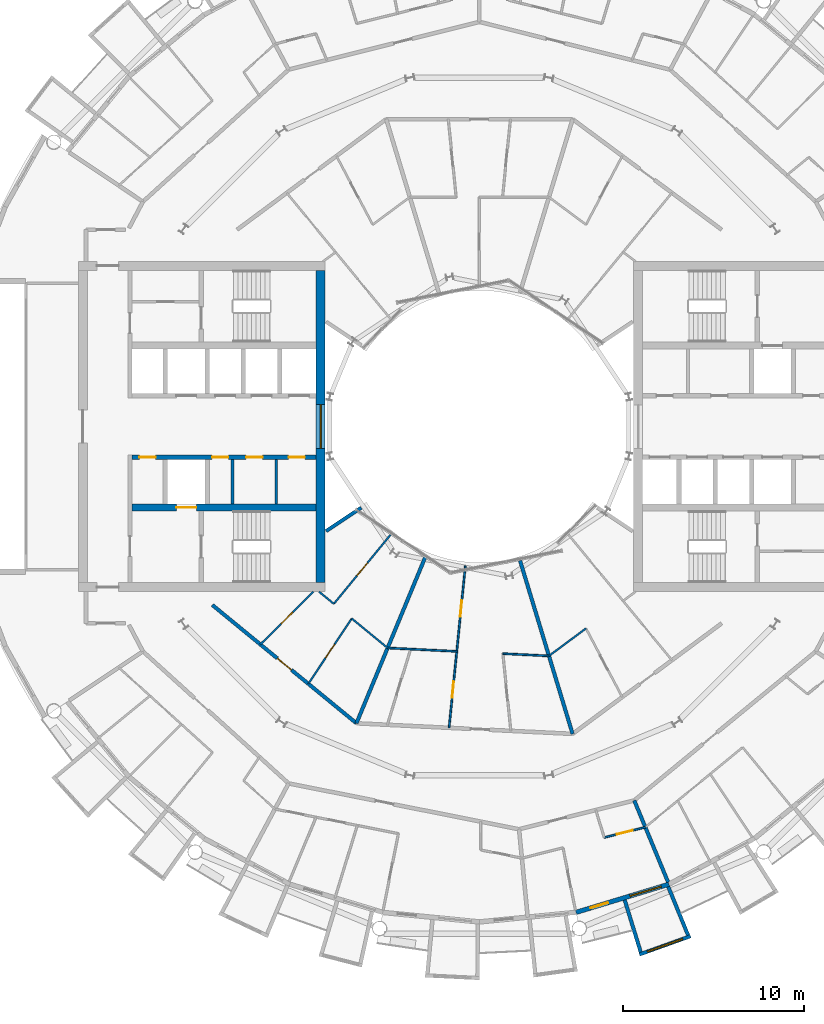
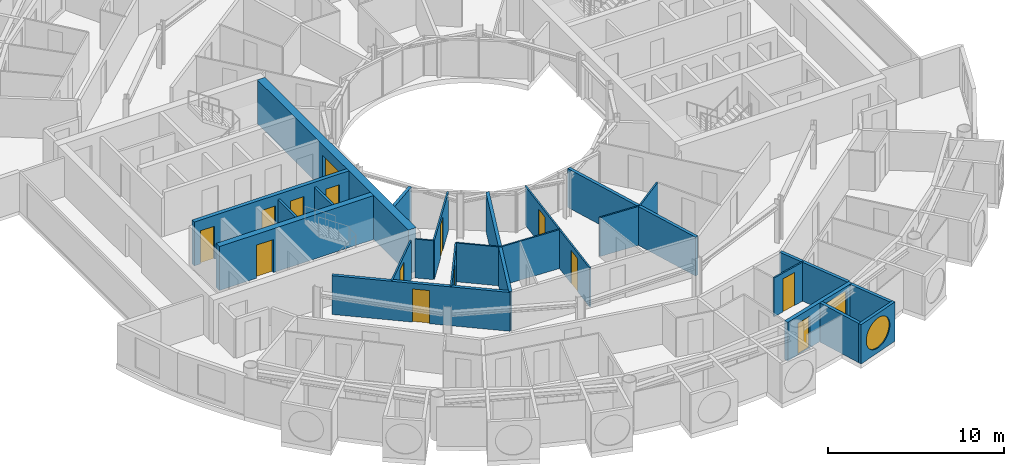
# One storey, part 16 of 26: 24 walls, 13 doors, 3 windows, 16 openings.
"""IFC4 building model written with IfcOpenShell, lengths in metres."""

from ifc_helpers import new_model, si_unit, direction, frame, frame_2d, origin, place, context, subcontext, project, spatial, rectangle, circle, extrude, material, layer, layer_set, type_object, element, fill, save


model = new_model("IFC4")

# Units and contexts
model_context = context("Model", 3, precision=1e-05, world=origin(), true_north=direction((0.0, 1.0)))
body_context = subcontext(model_context, "Body", "Model", "MODEL_VIEW")
ifc_project = project(units=[si_unit("LENGTHUNIT", "METRE"), si_unit("AREAUNIT", "SQUARE_METRE"), si_unit("VOLUMEUNIT", "CUBIC_METRE"), si_unit("PLANEANGLEUNIT", "RADIAN"), si_unit("MASSUNIT", "GRAM", prefix="KILO")], contexts=[model_context])

# Site, building, storey
site_placement = place(None, origin())
site = spatial("IfcSite", under=ifc_project, at=site_placement, CompositionType="ELEMENT")
building_placement = place(site_placement, origin())
building = spatial("IfcBuilding", under=site, at=building_placement, Name="Maasbend Ring Residences", CompositionType="ELEMENT")
storey_placement = place(building_placement, frame((0.0, 0.0, 154.35009765625)))
storey = spatial("IfcBuildingStorey", under=building, at=storey_placement, Name="L44", CompositionType="ELEMENT", Elevation=154.35009765625)

# Wall, openings, doors
ifc_material_1 = material(Name="Concrete C60/75", Category="concrete")
ifc_layer_1 = layer(ifc_material_1, 0.25)
ifc_layer_set_1 = layer_set([ifc_layer_1], Name="Concrete C60/75")
wall_type_1 = type_object("IfcWallType", Name="CORE WALL 250 C60/75", PredefinedType="SHEAR", material=ifc_layer_set_1)
wall_1_placement = place(storey_placement, frame((-9.0, -1.699951171875, 0.0), z_axis=(0.0, 0.0, 1.0), x_axis=(-1.0, 0.0, 0.0)))
wall_1 = element("IfcWall", 1, at=wall_1_placement, inside=storey, type_object=wall_type_1, Name="L44 core W wall SPN", PredefinedType="SHEAR", context=body_context, shape_type="SweptSolid", body=[
    extrude(rectangle(XDim=10.14990234375, YDim=0.25, at=frame_2d((5.074951171875, 0.0))), origin(), (0.0, 0.0, 1.0), 3.0498046875),
])
opening_1_placement = place(wall_1_placement, frame((0.612548828125, 0.0, 0.0)))
opening_1 = element("IfcOpeningElement", 2, at=opening_1_placement, cuts=wall_1, Name="Opening D-W4406", PredefinedType="OPENING", context=body_context, shape_type="SweptSolid", body=[
    extrude(rectangle(XDim=0.89990234375, YDim=2.300048828125, at=frame_2d((0.449951171875, 1.14990234375))), frame((0.0, 0.135009765625, 0.0), z_axis=(0.0, -1.0, 0.0), x_axis=(1.0, 0.0, 0.0)), (0.0, 0.0, 1.0), 0.27001953125),
])
opening_2_placement = place(wall_1_placement, frame((2.949951171875, 0.0, 0.0)))
opening_2 = element("IfcOpeningElement", 3, at=opening_2_placement, cuts=wall_1, Name="Opening D-W4407", PredefinedType="OPENING", context=body_context, shape_type="SweptSolid", body=[
    extrude(rectangle(XDim=0.89990234375, YDim=2.300048828125, at=frame_2d((0.449951171875, 1.14990234375))), frame((0.0, 0.135009765625, 0.0), z_axis=(0.0, -1.0, 0.0), x_axis=(1.0, 0.0, 0.0)), (0.0, 0.0, 1.0), 0.27001953125),
])
opening_3_placement = place(wall_1_placement, frame((4.824951171875, 0.0, 0.0)))
opening_3 = element("IfcOpeningElement", 4, at=opening_3_placement, cuts=wall_1, Name="Opening D-W4408", PredefinedType="OPENING", context=body_context, shape_type="SweptSolid", body=[
    extrude(rectangle(XDim=0.89990234375, YDim=2.300048828125, at=frame_2d((0.449951171875, 1.14990234375))), frame((0.0, 0.135009765625, 0.0), z_axis=(0.0, -1.0, 0.0), x_axis=(1.0, 0.0, 0.0)), (0.0, 0.0, 1.0), 0.27001953125),
])
opening_4_placement = place(wall_1_placement, frame((8.83740234375, 0.0, 0.0)))
opening_4 = element("IfcOpeningElement", 5, at=opening_4_placement, cuts=wall_1, Name="Opening D-W4409", PredefinedType="OPENING", context=body_context, shape_type="SweptSolid", body=[
    extrude(rectangle(XDim=0.89990234375, YDim=2.300048828125, at=frame_2d((0.449951171875, 1.14990234375))), frame((0.0, 0.135009765625, 0.0), z_axis=(0.0, -1.0, 0.0), x_axis=(1.0, 0.0, 0.0)), (0.0, 0.0, 1.0), 0.27001953125),
])
ifc_material_2 = material(Name="Steel, powder coated", Category="steel")
door_type_1 = type_object("IfcDoorType", Name="ROOM DOOR 900 X 2300 FD30S", OperationType="NOTDEFINED", PredefinedType="DOOR", material=ifc_material_2)
door_1_placement = place(opening_1_placement, origin())
door_1 = element("IfcDoor", 6, at=door_1_placement, inside=storey, type_object=door_type_1, Name="Room door L44", OperationType="SINGLE_SWING_RIGHT", OverallHeight=2.300048828125, OverallWidth=0.89990234375, PredefinedType="DOOR", context=body_context, shape_type="SweptSolid", body=[
    extrude(rectangle(XDim=0.89990234375, YDim=2.300048828125, at=frame_2d((0.449951171875, 1.14990234375))), frame((0.0, 0.02490234375, 0.0), z_axis=(0.0, -1.0, 0.0), x_axis=(1.0, 0.0, 0.0)), (0.0, 0.0, 1.0), 0.050048828125),
])
fill(opening_1, door_1)
door_2_placement = place(opening_2_placement, origin())
door_2 = element("IfcDoor", 7, at=door_2_placement, inside=storey, type_object=door_type_1, Name="Room door L44", OperationType="SINGLE_SWING_RIGHT", OverallHeight=2.300048828125, OverallWidth=0.89990234375, PredefinedType="DOOR", context=body_context, shape_type="SweptSolid", body=[
    extrude(rectangle(XDim=0.89990234375, YDim=2.300048828125, at=frame_2d((0.449951171875, 1.14990234375))), frame((0.0, 0.02490234375, 0.0), z_axis=(0.0, -1.0, 0.0), x_axis=(1.0, 0.0, 0.0)), (0.0, 0.0, 1.0), 0.050048828125),
])
fill(opening_2, door_2)
door_3_placement = place(opening_3_placement, origin())
door_3 = element("IfcDoor", 8, at=door_3_placement, inside=storey, type_object=door_type_1, Name="Room door L44", OperationType="SINGLE_SWING_LEFT", OverallHeight=2.300048828125, OverallWidth=0.89990234375, PredefinedType="DOOR", context=body_context, shape_type="SweptSolid", body=[
    extrude(rectangle(XDim=0.89990234375, YDim=2.300048828125, at=frame_2d((0.449951171875, 1.14990234375))), frame((0.0, 0.02490234375, 0.0), z_axis=(0.0, -1.0, 0.0), x_axis=(1.0, 0.0, 0.0)), (0.0, 0.0, 1.0), 0.050048828125),
])
fill(opening_3, door_3)
door_4_placement = place(opening_4_placement, origin())
door_4 = element("IfcDoor", 9, at=door_4_placement, inside=storey, type_object=door_type_1, Name="Room door L44", OperationType="SINGLE_SWING_LEFT", OverallHeight=2.300048828125, OverallWidth=0.89990234375, PredefinedType="DOOR", context=body_context, shape_type="SweptSolid", body=[
    extrude(rectangle(XDim=0.89990234375, YDim=2.300048828125, at=frame_2d((0.449951171875, 1.14990234375))), frame((0.0, 0.02490234375, 0.0), z_axis=(0.0, -1.0, 0.0), x_axis=(1.0, 0.0, 0.0)), (0.0, 0.0, 1.0), 0.050048828125),
])
fill(opening_4, door_4)

# Wall, opening, door
ifc_material_3 = material(Name="Concrete C60/75", Category="concrete")
ifc_layer_2 = layer(ifc_material_3, 0.375)
ifc_layer_set_2 = layer_set([ifc_layer_2], Name="Concrete C60/75")
wall_type_2 = type_object("IfcWallType", Name="CORE WALL 375 C60/75", PredefinedType="SHEAR", material=ifc_layer_set_2)
wall_2_placement = place(storey_placement, frame((-9.0, -4.46240234375, 0.0), z_axis=(0.0, 0.0, 1.0), x_axis=(-1.0, 0.0, 0.0)))
wall_2 = element("IfcWall", 10, at=wall_2_placement, inside=storey, type_object=wall_type_2, Name="L44 core W wall BN", PredefinedType="SHEAR", context=body_context, shape_type="SweptSolid", body=[
    extrude(rectangle(XDim=10.14990234375, YDim=0.375, at=frame_2d((5.074951171875, 0.0))), origin(), (0.0, 0.0, 1.0), 3.0498046875),
])
opening_5_placement = place(wall_2_placement, frame((6.60009765625, 0.0, 0.0)))
opening_5 = element("IfcOpeningElement", 11, at=opening_5_placement, cuts=wall_2, Name="Opening LD-W4401", PredefinedType="OPENING", context=body_context, shape_type="SweptSolid", body=[
    extrude(rectangle(XDim=1.10009765625, YDim=2.300048828125, at=frame_2d((0.550048828125, 1.14990234375))), frame((0.0, 0.197509765625, 0.0), z_axis=(0.0, -1.0, 0.0), x_axis=(1.0, 0.0, 0.0)), (0.0, 0.0, 1.0), 0.39501953125),
])
ifc_material_4 = material(Name="Stainless steel 316", Category="steel")
door_type_2 = type_object("IfcDoorType", Name="LANDING DOOR 1100 X 2300 FD60", OperationType="DOUBLE_DOOR_SLIDING", PredefinedType="DOOR", material=ifc_material_4)
door_5_placement = place(opening_5_placement, origin())
door_5 = element("IfcDoor", 12, at=door_5_placement, inside=storey, type_object=door_type_2, Name="Landing door FF-W L44", OperationType="DOUBLE_DOOR_SLIDING", OverallHeight=2.300048828125, OverallWidth=1.10009765625, PredefinedType="DOOR", context=body_context, shape_type="SweptSolid", body=[
    extrude(rectangle(XDim=1.10009765625, YDim=2.300048828125, at=frame_2d((0.550048828125, 1.14990234375))), frame((0.0, 0.02490234375, 0.0), z_axis=(0.0, -1.0, 0.0), x_axis=(1.0, 0.0, 0.0)), (0.0, 0.0, 1.0), 0.050048828125),
])
fill(opening_5, door_5)

# Wall, opening, window
ifc_material_5 = material(Name="Concrete C60/75", Category="concrete")
ifc_layer_3 = layer(ifc_material_5, 0.5)
ifc_layer_set_3 = layer_set([ifc_layer_3], Name="Concrete C60/75")
wall_type_3 = type_object("IfcWallType", Name="CORE WALL 500 C60/75", PredefinedType="SHEAR", material=ifc_layer_set_3)
wall_3_placement = place(storey_placement, frame((-8.75, 8.60009765625, 0.0), z_axis=(0.0, 0.0, 1.0), x_axis=(0.0, -1.0, 0.0)))
wall_3 = element("IfcWall", 13, at=wall_3_placement, inside=storey, type_object=wall_type_3, Name="L44 core W wall PIN", PredefinedType="SHEAR", context=body_context, shape_type="SweptSolid", body=[
    extrude(rectangle(XDim=17.2001953125, YDim=0.5, at=frame_2d((8.60009765625, 0.0))), origin(), (0.0, 0.0, 1.0), 3.0498046875),
])
opening_6_placement = place(wall_3_placement, frame((7.39990234375, 0.0, 0.10009765625)))
opening_6 = element("IfcOpeningElement", 14, at=opening_6_placement, cuts=wall_3, Name="Opening W-W4401", PredefinedType="OPENING", context=body_context, shape_type="SweptSolid", body=[
    extrude(rectangle(XDim=2.39990234375, YDim=2.199951171875, at=frame_2d((1.199951171875, 1.10009765625))), frame((0.0, 0.260009765625, 0.0), z_axis=(0.0, -1.0, 0.0), x_axis=(1.0, 0.0, 0.0)), (0.0, 0.0, 1.0), 0.52001953125),
])
ifc_material_6 = material(Name="Aluminium frame and clear glass", Category="aluminium")
window_type_1 = type_object("IfcWindowType", Name="FIXED WINDOW 2400 X 2200", PartitioningType="SINGLE_PANEL", PredefinedType="WINDOW", material=ifc_material_6)
window_1_placement = place(opening_6_placement, origin())
window_1 = element("IfcWindow", 15, at=window_1_placement, inside=storey, type_object=window_type_1, Name="Lobby window L44", OverallHeight=2.199951171875, OverallWidth=2.39990234375, PartitioningType="SINGLE_PANEL", PredefinedType="WINDOW", context=body_context, shape_type="SweptSolid", body=[
    extrude(rectangle(XDim=2.39990234375, YDim=2.199951171875, at=frame_2d((1.199951171875, 1.10009765625))), frame((0.0, 0.030029296875, 0.0), z_axis=(0.0, -1.0, 0.0), x_axis=(1.0, 0.0, 0.0)), (0.0, 0.0, 1.0), 0.06005859375),
])
fill(opening_6, window_1)

# Wall, opening, door
ifc_material_7 = material(Name="Concrete C30/37", Category="concrete")
ifc_layer_4 = layer(ifc_material_7, 0.199951171875)
ifc_layer_set_4 = layer_set([ifc_layer_4], Name="Concrete C30/37")
wall_type_4 = type_object("IfcWallType", Name="CORRIDOR WALL 200 CONCRETE", PredefinedType="PARTITIONING", material=ifc_layer_set_4)
wall_4_placement = place(storey_placement, frame((-14.717041015625, -9.833984375, 0.0), z_axis=(0.0, 0.0, 1.0), x_axis=(0.773034536097, -0.634363938131, 0.0)))
wall_4 = element("IfcWall", 16, at=wall_4_placement, inside=storey, type_object=wall_type_4, Name="U-L44-w017", PredefinedType="PARTITIONING", context=body_context, shape_type="SweptSolid", body=[
    extrude(rectangle(XDim=10.276611328125, YDim=0.199951171875, at=frame_2d((5.13818359375, 0.0))), origin(), (0.0, 0.0, 1.0), 2.699951171875),
])
opening_7_placement = place(wall_4_placement, frame((4.637939453125, 0.0, 0.0)))
opening_7 = element("IfcOpeningElement", 17, at=opening_7_placement, cuts=wall_4, Name="Opening D-4451", PredefinedType="OPENING", context=body_context, shape_type="SweptSolid", body=[
    extrude(rectangle(XDim=1.0, YDim=2.300048828125, at=frame_2d((0.5, 1.14990234375))), frame((0.0, 0.10986328125, 0.0), z_axis=(0.0, -1.0, 0.0), x_axis=(1.0, 0.0, 0.0)), (0.0, 0.0, 1.0), 0.219970703125),
])
ifc_material_8 = material(Name="Timber, fire-rated, painted", Category="wood")
door_type_3 = type_object("IfcDoorType", Name="FLAT ENTRANCE DOOR 1000 X 2300 FIRE-RATED", OperationType="NOTDEFINED", PredefinedType="DOOR", material=ifc_material_8)
door_6_placement = place(opening_7_placement, origin())
door_6 = element("IfcDoor", 18, at=door_6_placement, inside=storey, type_object=door_type_3, Name="D-4451", OperationType="SINGLE_SWING_LEFT", OverallHeight=2.300048828125, OverallWidth=1.0, PredefinedType="DOOR", context=body_context, shape_type="SweptSolid", body=[
    extrude(rectangle(XDim=1.0, YDim=2.300048828125, at=frame_2d((0.5, 1.14990234375))), frame((0.0, 0.02490234375, 0.0), z_axis=(0.0, -1.0, 0.0), x_axis=(1.0, 0.0, 0.0)), (0.0, 0.0, 1.0), 0.050048828125),
])
fill(opening_7, door_6)

# Wall, opening, window
ifc_material_9 = material(Name="Pale anodised aluminium panel", Category="aluminium")
ifc_layer_5 = layer(ifc_material_9, 0.199951171875)
ifc_layer_set_5 = layer_set([ifc_layer_5], Name="EW-BOX")
wall_type_5 = type_object("IfcWallType", Name="EW-BOX", PredefinedType="SOLIDWALL", material=ifc_layer_set_5)
wall_5_placement = place(storey_placement, frame((8.820068359375, -29.093017578125, -0.030029296875), z_axis=(0.0, 0.0, 1.0), x_axis=(0.941461077774, 0.337121697664, 0.0)))
wall_5 = element("IfcWall", 19, at=wall_5_placement, inside=storey, type_object=wall_type_5, Name="Box front S14", PredefinedType="SOLIDWALL", context=body_context, shape_type="SweptSolid", body=[
    extrude(rectangle(XDim=2.9931640625, YDim=0.199951171875, at=frame_2d((1.49658203125, 0.0))), origin(), (0.0, 0.0, 1.0), 2.72998046875),
])
opening_8_placement = place(wall_5_placement, frame((0.45654296875, 0.0, 0.330078125)))
opening_8 = element("IfcOpeningElement", 20, at=opening_8_placement, cuts=wall_5, Name="Opening W-RD", PredefinedType="OPENING", context=body_context, shape_type="SweptSolid", body=[
    extrude(circle(Radius=1.0400390625, at=frame_2d((1.0400390625, 1.0400390625))), frame((0.0, 0.10986328125, 0.0), z_axis=(0.0, -1.0, 0.0), x_axis=(1.0, 0.0, 0.0)), (0.0, 0.0, 1.0), 0.219970703125),
])
ifc_material_10 = material(Name="Aluminium and clear glass", Category="aluminium")
window_type_2 = type_object("IfcWindowType", Name="W-RD", PartitioningType="SINGLE_PANEL", PredefinedType="WINDOW", material=ifc_material_10)
window_2_placement = place(opening_8_placement, origin())
window_2 = element("IfcWindow", 21, at=window_2_placement, inside=storey, type_object=window_type_2, Name="Round window S14", OverallHeight=2.080078125, OverallWidth=2.080078125, PartitioningType="SINGLE_PANEL", PredefinedType="WINDOW", context=body_context, shape_type="SweptSolid", body=[
    extrude(circle(Radius=1.0400390625, at=frame_2d((1.0400390625, 1.0400390625))), frame((0.0, 0.030029296875, 0.0), z_axis=(0.0, -1.0, 0.0), x_axis=(1.0, 0.0, 0.0)), (0.0, 0.0, 1.0), 0.06005859375),
])
fill(opening_8, window_2)

# Walls
wall_6_placement = place(storey_placement, frame((8.009033203125, -26.092041015625, -0.030029296875), z_axis=(0.0, 0.0, 1.0), x_axis=(0.293406695073, -0.955987715029, 0.0)))
element("IfcWall", 22, at=wall_6_placement, inside=storey, type_object=wall_type_5, Name="Box side wall S14 left", PredefinedType="SOLIDWALL", context=body_context, shape_type="SweptSolid", body=[
    extrude(rectangle(XDim=3.00634765625, YDim=0.199951171875, at=frame_2d((1.503173828125, 0.0))), origin(), (0.0, 0.0, 1.0), 2.72998046875),
])
wall_7_placement = place(storey_placement, frame((10.408935546875, -25.364013671875, -0.030029296875), z_axis=(0.0, 0.0, 1.0), x_axis=(0.379509886562, -0.925187681501, 0.0)))
element("IfcWall", 23, at=wall_7_placement, inside=storey, type_object=wall_type_5, Name="Box side wall S14 right", PredefinedType="SOLIDWALL", context=body_context, shape_type="SweptSolid", body=[
    extrude(rectangle(XDim=2.882568359375, YDim=0.199951171875, at=frame_2d((1.44140625, 0.0))), origin(), (0.0, 0.0, 1.0), 2.72998046875),
])

# Wall, openings, door, window
ifc_material_11 = material(Name="Aluminium clad insulated panel", Category="aluminium")
ifc_layer_6 = layer(ifc_material_11, 0.25)
ifc_layer_set_6 = layer_set([ifc_layer_6], Name="EW-GL")
wall_type_6 = type_object("IfcWallType", Name="EW-GL", PredefinedType="SOLIDWALL", material=ifc_layer_set_6)
wall_8_placement = place(storey_placement, frame((5.325927734375, -26.77490234375, 0.0), z_axis=(0.0, 0.0, 1.0), x_axis=(0.956965678721, 0.290201119486, 0.0)))
wall_8 = element("IfcWall", 24, at=wall_8_placement, inside=storey, type_object=wall_type_6, Name="External wall S07", PredefinedType="SOLIDWALL", context=body_context, shape_type="SweptSolid", body=[
    extrude(rectangle(XDim=5.351318359375, YDim=0.25, at=frame_2d((2.67578125, 0.0))), origin(), (0.0, 0.0, 1.0), 2.699951171875),
])
opening_9_placement = place(wall_8_placement, frame((0.841064453125, 0.0, 0.0)))
opening_9 = element("IfcOpeningElement", 25, at=opening_9_placement, cuts=wall_8, Name="Opening D-LG", PredefinedType="OPENING", context=body_context, shape_type="SweptSolid", body=[
    extrude(rectangle(XDim=1.0, YDim=2.199951171875, at=frame_2d((0.5, 1.10009765625))), frame((0.0, 0.135009765625, 0.0), z_axis=(0.0, -1.0, 0.0), x_axis=(1.0, 0.0, 0.0)), (0.0, 0.0, 1.0), 0.27001953125),
])
opening_10_placement = place(wall_8_placement, frame((3.110595703125, 0.0, 0.300048828125)))
opening_10 = element("IfcOpeningElement", 26, at=opening_10_placement, cuts=wall_8, Name="Opening W-BX", PredefinedType="OPENING", context=body_context, shape_type="SweptSolid", body=[
    extrude(rectangle(XDim=1.800048828125, YDim=2.10009765625, at=frame_2d((0.89990234375, 1.050048828125))), frame((0.0, 0.135009765625, 0.0), z_axis=(0.0, -1.0, 0.0), x_axis=(1.0, 0.0, 0.0)), (0.0, 0.0, 1.0), 0.27001953125),
])
ifc_material_12 = material(Name="Aluminium and clear glass", Category="aluminium")
door_type_4 = type_object("IfcDoorType", Name="D-LG", OperationType="SINGLE_SWING_LEFT", PredefinedType="DOOR", material=ifc_material_12)
door_7_placement = place(opening_9_placement, origin())
door_7 = element("IfcDoor", 27, at=door_7_placement, inside=storey, type_object=door_type_4, Name="Loggia door S13", OperationType="SINGLE_SWING_LEFT", OverallHeight=2.199951171875, OverallWidth=1.0, PredefinedType="DOOR", context=body_context, shape_type="SweptSolid", body=[
    extrude(rectangle(XDim=1.0, YDim=2.199951171875, at=frame_2d((0.5, 1.10009765625))), frame((0.0, 0.02490234375, 0.0), z_axis=(0.0, -1.0, 0.0), x_axis=(1.0, 0.0, 0.0)), (0.0, 0.0, 1.0), 0.050048828125),
])
fill(opening_9, door_7)
ifc_material_13 = material(Name="Aluminium and clear glass", Category="aluminium")
window_type_3 = type_object("IfcWindowType", Name="W-BX", PartitioningType="DOUBLE_PANEL_VERTICAL", PredefinedType="WINDOW", material=ifc_material_13)
window_3_placement = place(opening_10_placement, origin())
window_3 = element("IfcWindow", 28, at=window_3_placement, inside=storey, type_object=window_type_3, Name="Window S14 room to box", OverallHeight=2.10009765625, OverallWidth=1.800048828125, PartitioningType="SINGLE_PANEL", PredefinedType="WINDOW", context=body_context, shape_type="SweptSolid", body=[
    extrude(rectangle(XDim=1.800048828125, YDim=2.10009765625, at=frame_2d((0.89990234375, 1.050048828125))), frame((0.0, 0.030029296875, 0.0), z_axis=(0.0, -1.0, 0.0), x_axis=(1.0, 0.0, 0.0)), (0.0, 0.0, 1.0), 0.06005859375),
])
fill(opening_10, window_3)

# Wall, opening, door
ifc_material_14 = material(Name="Gypsum board on steel studs", Category="steel")
ifc_layer_7 = layer(ifc_material_14, 0.10009765625)
ifc_layer_set_7 = layer_set([ifc_layer_7], Name="PARTITION 100 GYPSUM")
wall_type_7 = type_object("IfcWallType", Name="PARTITION 100 GYPSUM", PredefinedType="PARTITIONING", material=ifc_layer_set_7)
wall_9_placement = place(storey_placement, frame((6.8779296875, -22.64892578125, 0.0), z_axis=(0.0, 0.0, 1.0), x_axis=(0.9700564467, 0.242879579658, 0.0)))
wall_9 = element("IfcWall", 29, at=wall_9_placement, inside=storey, type_object=wall_type_7, Name="U-L44-w002", PredefinedType="PARTITIONING", context=body_context, shape_type="SweptSolid", body=[
    extrude(rectangle(XDim=2.338134765625, YDim=0.10009765625, at=frame_2d((1.1689453125, 0.0))), origin(), (0.0, 0.0, 1.0), 2.699951171875),
])
opening_11_placement = place(wall_9_placement, frame((0.718994140625, 0.0, 0.0)))
opening_11 = element("IfcOpeningElement", 30, at=opening_11_placement, cuts=wall_9, Name="Opening D-4444", PredefinedType="OPENING", context=body_context, shape_type="SweptSolid", body=[
    extrude(rectangle(XDim=0.89990234375, YDim=2.300048828125, at=frame_2d((0.449951171875, 1.14990234375))), frame((0.0, 0.06005859375, 0.0), z_axis=(0.0, -1.0, 0.0), x_axis=(1.0, 0.0, 0.0)), (0.0, 0.0, 1.0), 0.1201171875),
])
ifc_material_15 = material(Name="Timber, painted", Category="wood")
door_type_5 = type_object("IfcDoorType", Name="INTERNAL DOOR 900 X 2300", OperationType="NOTDEFINED", PredefinedType="DOOR", material=ifc_material_15)
door_8_placement = place(opening_11_placement, origin())
door_8 = element("IfcDoor", 31, at=door_8_placement, inside=storey, type_object=door_type_5, Name="D-4444", OperationType="SINGLE_SWING_LEFT", OverallHeight=2.300048828125, OverallWidth=0.89990234375, PredefinedType="DOOR", context=body_context, shape_type="SweptSolid", body=[
    extrude(rectangle(XDim=0.89990234375, YDim=2.300048828125, at=frame_2d((0.449951171875, 1.14990234375))), frame((0.0, 0.02490234375, 0.0), z_axis=(0.0, -1.0, 0.0), x_axis=(1.0, 0.0, 0.0)), (0.0, 0.0, 1.0), 0.050048828125),
])
fill(opening_11, door_8)

# Walls
wall_10_placement = place(storey_placement, frame((-8.839111328125, -9.097900390625, 0.0), z_axis=(0.0, 0.0, 1.0), x_axis=(0.7731800648, -0.634186555673, 0.0)))
element("IfcWall", 32, at=wall_10_placement, inside=storey, type_object=wall_type_7, Name="U-L44-w020", PredefinedType="PARTITIONING", context=body_context, shape_type="SweptSolid", body=[
    extrude(rectangle(XDim=1.064453125, YDim=0.10009765625, at=frame_2d((0.5322265625, 0.0))), origin(), (0.0, 0.0, 1.0), 2.699951171875),
])
wall_11_placement = place(storey_placement, frame((-7.031005859375, -10.58203125, 0.0), z_axis=(0.0, 0.0, 1.0), x_axis=(0.772943675046, -0.634474645046, 0.0)))
element("IfcWall", 33, at=wall_11_placement, inside=storey, type_object=wall_type_7, Name="U-L44-w021", PredefinedType="PARTITIONING", context=body_context, shape_type="SweptSolid", body=[
    extrude(rectangle(XDim=2.556640625, YDim=0.10009765625, at=frame_2d((1.2783203125, 0.0))), origin(), (0.0, 0.0, 1.0), 2.699951171875),
])
wall_12_placement = place(storey_placement, frame((-5.06005859375, -12.202880859375, 0.0), z_axis=(0.0, 0.0, 1.0), x_axis=(0.998784958727, -0.049280891026, 0.0)))
element("IfcWall", 34, at=wall_12_placement, inside=storey, type_object=wall_type_7, Name="U-L44-w022", PredefinedType="PARTITIONING", context=body_context, shape_type="SweptSolid", body=[
    extrude(rectangle(XDim=3.819580078125, YDim=0.10009765625, at=frame_2d((1.90966796875, 0.0))), origin(), (0.0, 0.0, 1.0), 2.699951171875),
])
wall_13_placement = place(storey_placement, frame((1.294921875, -12.51611328125, 0.0), z_axis=(0.0, 0.0, 1.0), x_axis=(0.998790364054, -0.049171217923, 0.0)))
element("IfcWall", 35, at=wall_13_placement, inside=storey, type_object=wall_type_7, Name="U-L44-w023", PredefinedType="PARTITIONING", context=body_context, shape_type="SweptSolid", body=[
    extrude(rectangle(XDim=2.542236328125, YDim=0.10009765625, at=frame_2d((1.27099609375, 0.0))), origin(), (0.0, 0.0, 1.0), 2.699951171875),
])
wall_14_placement = place(storey_placement, frame((3.8349609375, -12.639892578125, 0.0), z_axis=(0.0, 0.0, 1.0), x_axis=(0.803259509791, 0.595629213463, 0.0)))
element("IfcWall", 36, at=wall_14_placement, inside=storey, type_object=wall_type_7, Name="U-L44-w024", PredefinedType="PARTITIONING", context=body_context, shape_type="SweptSolid", body=[
    extrude(rectangle(XDim=2.54345703125, YDim=0.10009765625, at=frame_2d((1.271728515625, 0.0))), origin(), (0.0, 0.0, 1.0), 2.699951171875),
])

# Wall, opening, door
wall_15_placement = place(storey_placement, frame((-12.069091796875, -12.007080078125, 0.0), z_axis=(0.0, 0.0, 1.0), x_axis=(0.708822693149, 0.705386695138, 0.0)))
wall_15 = element("IfcWall", 37, at=wall_15_placement, inside=storey, type_object=wall_type_7, Name="U-L44-w045", PredefinedType="PARTITIONING", context=body_context, shape_type="SweptSolid", body=[
    extrude(rectangle(XDim=4.12109375, YDim=0.10009765625, at=frame_2d((2.060546875, 0.0))), origin(), (0.0, 0.0, 1.0), 2.699951171875),
])
opening_12_placement = place(wall_15_placement, frame((1.611083984375, 0.0, 0.0)))
opening_12 = element("IfcOpeningElement", 38, at=opening_12_placement, cuts=wall_15, Name="Opening D-4453", PredefinedType="OPENING", context=body_context, shape_type="SweptSolid", body=[
    extrude(rectangle(XDim=0.89990234375, YDim=2.300048828125, at=frame_2d((0.449951171875, 1.14990234375))), frame((0.0, 0.06005859375, 0.0), z_axis=(0.0, -1.0, 0.0), x_axis=(1.0, 0.0, 0.0)), (0.0, 0.0, 1.0), 0.1201171875),
])
door_9_placement = place(opening_12_placement, origin())
door_9 = element("IfcDoor", 39, at=door_9_placement, inside=storey, type_object=door_type_5, Name="D-4453", OperationType="SINGLE_SWING_RIGHT", OverallHeight=2.300048828125, OverallWidth=0.89990234375, PredefinedType="DOOR", context=body_context, shape_type="SweptSolid", body=[
    extrude(rectangle(XDim=0.89990234375, YDim=2.300048828125, at=frame_2d((0.449951171875, 1.14990234375))), frame((0.0, 0.02490234375, 0.0), z_axis=(0.0, -1.0, 0.0), x_axis=(1.0, 0.0, 0.0)), (0.0, 0.0, 1.0), 0.050048828125),
])
fill(opening_12, door_9)

wall_16_placement = place(storey_placement, frame((-9.425048828125, -14.177001953125, 0.0), z_axis=(0.0, 0.0, 1.0), x_axis=(0.553865036342, 0.832606462573, 0.0)))
wall_16 = element("IfcWall", 40, at=wall_16_placement, inside=storey, type_object=wall_type_7, Name="U-L44-w048", PredefinedType="PARTITIONING", context=body_context, shape_type="SweptSolid", body=[
    extrude(rectangle(XDim=4.31884765625, YDim=0.10009765625, at=frame_2d((2.159423828125, 0.0))), origin(), (0.0, 0.0, 1.0), 2.699951171875),
])
opening_13_placement = place(wall_16_placement, frame((1.708984375, 0.0, 0.0)))
opening_13 = element("IfcOpeningElement", 41, at=opening_13_placement, cuts=wall_16, Name="Opening D-4452", PredefinedType="OPENING", context=body_context, shape_type="SweptSolid", body=[
    extrude(rectangle(XDim=0.89990234375, YDim=2.300048828125, at=frame_2d((0.449951171875, 1.14990234375))), frame((0.0, 0.06005859375, 0.0), z_axis=(0.0, -1.0, 0.0), x_axis=(1.0, 0.0, 0.0)), (0.0, 0.0, 1.0), 0.1201171875),
])
door_10_placement = place(opening_13_placement, origin())
door_10 = element("IfcDoor", 42, at=door_10_placement, inside=storey, type_object=door_type_5, Name="D-4452", OperationType="SINGLE_SWING_LEFT", OverallHeight=2.300048828125, OverallWidth=0.89990234375, PredefinedType="DOOR", context=body_context, shape_type="SweptSolid", body=[
    extrude(rectangle(XDim=0.89990234375, YDim=2.300048828125, at=frame_2d((0.449951171875, 1.14990234375))), frame((0.0, 0.02490234375, 0.0), z_axis=(0.0, -1.0, 0.0), x_axis=(1.0, 0.0, 0.0)), (0.0, 0.0, 1.0), 0.050048828125),
])
fill(opening_13, door_10)

wall_17_placement = place(storey_placement, frame((-8.01904296875, -9.77099609375, 0.0), z_axis=(0.0, 0.0, 1.0), x_axis=(0.634401778971, 0.773003481776, 0.0)))
wall_17 = element("IfcWall", 43, at=wall_17_placement, inside=storey, type_object=wall_type_7, Name="U-L44-w049", PredefinedType="PARTITIONING", context=body_context, shape_type="SweptSolid", body=[
    extrude(rectangle(XDim=4.919677734375, YDim=0.10009765625, at=frame_2d((2.4599609375, 0.0))), origin(), (0.0, 0.0, 1.0), 2.699951171875),
])
opening_14_placement = place(wall_17_placement, frame((2.010009765625, 0.0, 0.0)))
opening_14 = element("IfcOpeningElement", 44, at=opening_14_placement, cuts=wall_17, Name="Opening D-4454", PredefinedType="OPENING", context=body_context, shape_type="SweptSolid", body=[
    extrude(rectangle(XDim=0.89990234375, YDim=2.300048828125, at=frame_2d((0.449951171875, 1.14990234375))), frame((0.0, 0.06005859375, 0.0), z_axis=(0.0, -1.0, 0.0), x_axis=(1.0, 0.0, 0.0)), (0.0, 0.0, 1.0), 0.1201171875),
])
door_11_placement = place(opening_14_placement, origin())
door_11 = element("IfcDoor", 45, at=door_11_placement, inside=storey, type_object=door_type_5, Name="D-4454", OperationType="SINGLE_SWING_LEFT", OverallHeight=2.300048828125, OverallWidth=0.89990234375, PredefinedType="DOOR", context=body_context, shape_type="SweptSolid", body=[
    extrude(rectangle(XDim=0.89990234375, YDim=2.300048828125, at=frame_2d((0.449951171875, 1.14990234375))), frame((0.0, 0.02490234375, 0.0), z_axis=(0.0, -1.0, 0.0), x_axis=(1.0, 0.0, 0.0)), (0.0, 0.0, 1.0), 0.050048828125),
])
fill(opening_14, door_11)

# Wall, openings, doors
wall_18_placement = place(storey_placement, frame((-1.6689453125, -16.60302734375, 0.0), z_axis=(0.0, 0.0, 1.0), x_axis=(0.100029361081, 0.994984485769, 0.0)))
wall_18 = element("IfcWall", 46, at=wall_18_placement, inside=storey, type_object=wall_type_7, Name="U-L44-w059", PredefinedType="PARTITIONING", context=body_context, shape_type="SweptSolid", body=[
    extrude(rectangle(XDim=8.967041015625, YDim=0.10009765625, at=frame_2d((4.4833984375, 0.0))), origin(), (0.0, 0.0, 1.0), 2.699951171875),
])
opening_15_placement = place(wall_18_placement, frame((1.6669921875, 0.0, 0.0)))
opening_15 = element("IfcOpeningElement", 47, at=opening_15_placement, cuts=wall_18, Name="Opening D-4457", PredefinedType="OPENING", context=body_context, shape_type="SweptSolid", body=[
    extrude(rectangle(XDim=0.89990234375, YDim=2.300048828125, at=frame_2d((0.449951171875, 1.14990234375))), frame((0.0, 0.06005859375, 0.0), z_axis=(0.0, -1.0, 0.0), x_axis=(1.0, 0.0, 0.0)), (0.0, 0.0, 1.0), 0.1201171875),
])
opening_16_placement = place(wall_18_placement, frame((6.152099609375, 0.0, 0.0)))
opening_16 = element("IfcOpeningElement", 48, at=opening_16_placement, cuts=wall_18, Name="Opening D-4459", PredefinedType="OPENING", context=body_context, shape_type="SweptSolid", body=[
    extrude(rectangle(XDim=0.89990234375, YDim=2.300048828125, at=frame_2d((0.449951171875, 1.14990234375))), frame((0.0, 0.06005859375, 0.0), z_axis=(0.0, -1.0, 0.0), x_axis=(1.0, 0.0, 0.0)), (0.0, 0.0, 1.0), 0.1201171875),
])
door_12_placement = place(opening_15_placement, origin())
door_12 = element("IfcDoor", 49, at=door_12_placement, inside=storey, type_object=door_type_5, Name="D-4457", OperationType="SINGLE_SWING_LEFT", OverallHeight=2.300048828125, OverallWidth=0.89990234375, PredefinedType="DOOR", context=body_context, shape_type="SweptSolid", body=[
    extrude(rectangle(XDim=0.89990234375, YDim=2.300048828125, at=frame_2d((0.449951171875, 1.14990234375))), frame((0.0, 0.02490234375, 0.0), z_axis=(0.0, -1.0, 0.0), x_axis=(1.0, 0.0, 0.0)), (0.0, 0.0, 1.0), 0.050048828125),
])
fill(opening_15, door_12)
door_13_placement = place(opening_16_placement, origin())
door_13 = element("IfcDoor", 50, at=door_13_placement, inside=storey, type_object=door_type_5, Name="D-4459", OperationType="SINGLE_SWING_RIGHT", OverallHeight=2.300048828125, OverallWidth=0.89990234375, PredefinedType="DOOR", context=body_context, shape_type="SweptSolid", body=[
    extrude(rectangle(XDim=0.89990234375, YDim=2.300048828125, at=frame_2d((0.449951171875, 1.14990234375))), frame((0.0, 0.02490234375, 0.0), z_axis=(0.0, -1.0, 0.0), x_axis=(1.0, 0.0, 0.0)), (0.0, 0.0, 1.0), 0.050048828125),
])
fill(opening_16, door_13)

# Walls
ifc_material_16 = material(Name="Gypsum board on steel studs", Category="steel")
ifc_layer_8 = layer(ifc_material_16, 0.14990234375)
ifc_layer_set_8 = layer_set([ifc_layer_8], Name="PARTITION 150 EI 60")
wall_type_8 = type_object("IfcWallType", Name="PARTITION 150 EI 60", PredefinedType="PARTITIONING", material=ifc_layer_set_8)
for number, where, z_axis, x_axis, name in (
    (51, (-11.199951171875, -1.824951171875, 0.0), (0.0, 0.0, 1.0), (0.0, -1.0, 0.0), "L44 core W wall PRN1120"),
    (52, (-13.60009765625, -1.824951171875, 0.0), (0.0, 0.0, 1.0), (0.0, -1.0, 0.0), "L44 core W wall PRN1360"),
):
    element("IfcWall", number, at=place(storey_placement, frame(where, z_axis=z_axis, x_axis=x_axis)), inside=storey, type_object=wall_type_8, Name=name, PredefinedType="PARTITIONING", context=body_context, shape_type="SweptSolid", body=[
        extrude(rectangle(XDim=2.449951171875, YDim=0.14990234375, at=frame_2d((1.22509765625, 0.0))), origin(), (0.0, 0.0, 1.0), 2.699951171875),
    ])
ifc_material_17 = material(Name="Concrete C30/37", Category="concrete")
ifc_layer_9 = layer(ifc_material_17, 0.199951171875)
ifc_layer_set_9 = layer_set([ifc_layer_9], Name="Concrete C30/37")
wall_type_9 = type_object("IfcWallType", Name="PARTY WALL 200 CONCRETE", PredefinedType="PARTITIONING", material=ifc_layer_set_9)
wall_19_placement = place(storey_placement, frame((-6.512939453125, -4.471923828125, 0.0), z_axis=(0.0, 0.0, 1.0), x_axis=(-0.83133816625, -0.555766905579, 0.0)))
element("IfcWall", 53, at=wall_19_placement, inside=storey, type_object=wall_type_9, Name="U-L44-w028", PredefinedType="PARTITIONING", context=body_context, shape_type="SweptSolid", body=[
    extrude(rectangle(XDim=2.322998046875, YDim=0.199951171875, at=frame_2d((1.16162109375, 0.0))), origin(), (0.0, 0.0, 1.0), 2.699951171875),
])
wall_20_placement = place(storey_placement, frame((-6.77392578125, -16.35302734375, 0.0), z_axis=(0.0, 0.0, 1.0), x_axis=(0.382716169203, 0.92386597179, 0.0)))
element("IfcWall", 54, at=wall_20_placement, inside=storey, type_object=wall_type_9, Name="U-L44-w053", PredefinedType="PARTITIONING", context=body_context, shape_type="SweptSolid", body=[
    extrude(rectangle(XDim=9.980712890625, YDim=0.199951171875, at=frame_2d((4.990234375, 0.0))), origin(), (0.0, 0.0, 1.0), 2.699951171875),
])
wall_21_placement = place(storey_placement, frame((2.240966796875, -7.387939453125, 0.0), z_axis=(0.0, 0.0, 1.0), x_axis=(0.290284403441, -0.956940418793, 0.0)))
element("IfcWall", 55, at=wall_21_placement, inside=storey, type_object=wall_type_9, Name="U-L44-w066", PredefinedType="PARTITIONING", context=body_context, shape_type="SweptSolid", body=[
    extrude(rectangle(XDim=9.979736328125, YDim=0.199951171875, at=frame_2d((4.98974609375, 0.0))), origin(), (0.0, 0.0, 1.0), 2.699951171875),
])
wall_22_placement = place(storey_placement, frame((8.533935546875, -20.60302734375, 0.0), z_axis=(0.0, 0.0, 1.0), x_axis=(0.382651153718, -0.923892902104, 0.0)))
element("IfcWall", 56, at=wall_22_placement, inside=storey, type_object=wall_type_9, Name="U-L44-w076", PredefinedType="PARTITIONING", context=body_context, shape_type="SweptSolid", body=[
    extrude(rectangle(XDim=4.873779296875, YDim=0.199951171875, at=frame_2d((2.43701171875, 0.0))), origin(), (0.0, 0.0, 1.0), 2.699951171875),
])

save(model, "model.ifc")
